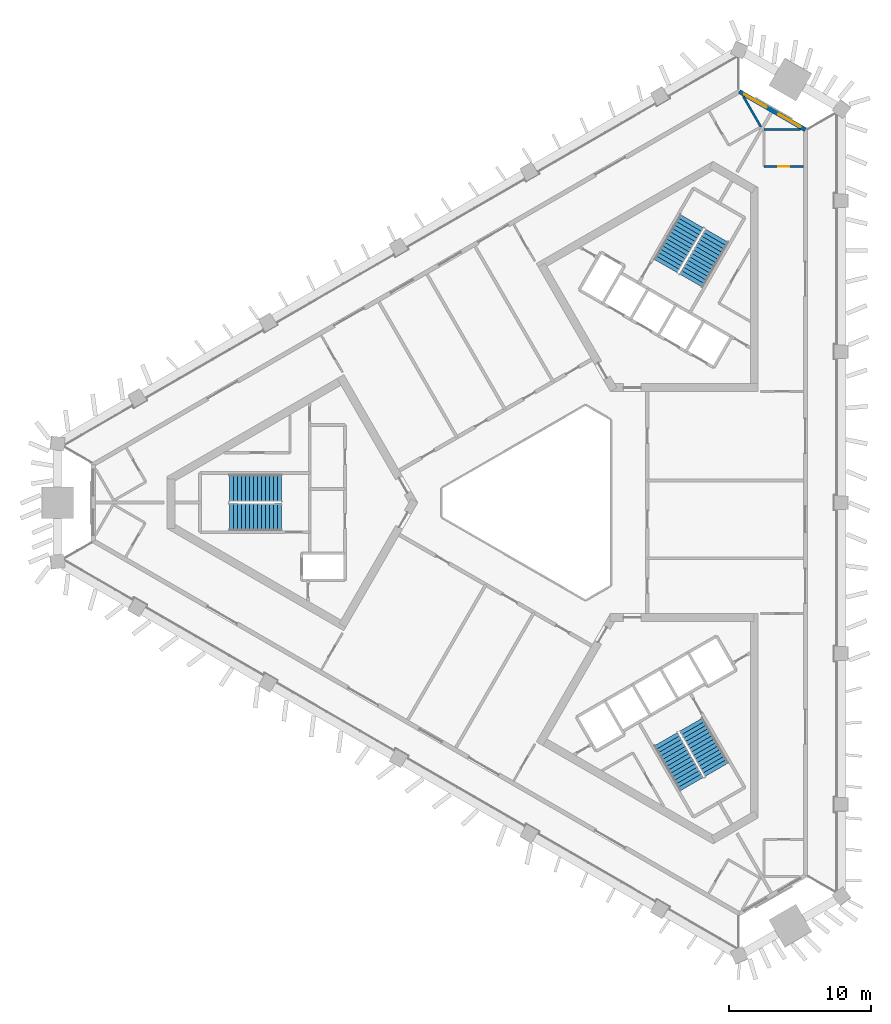
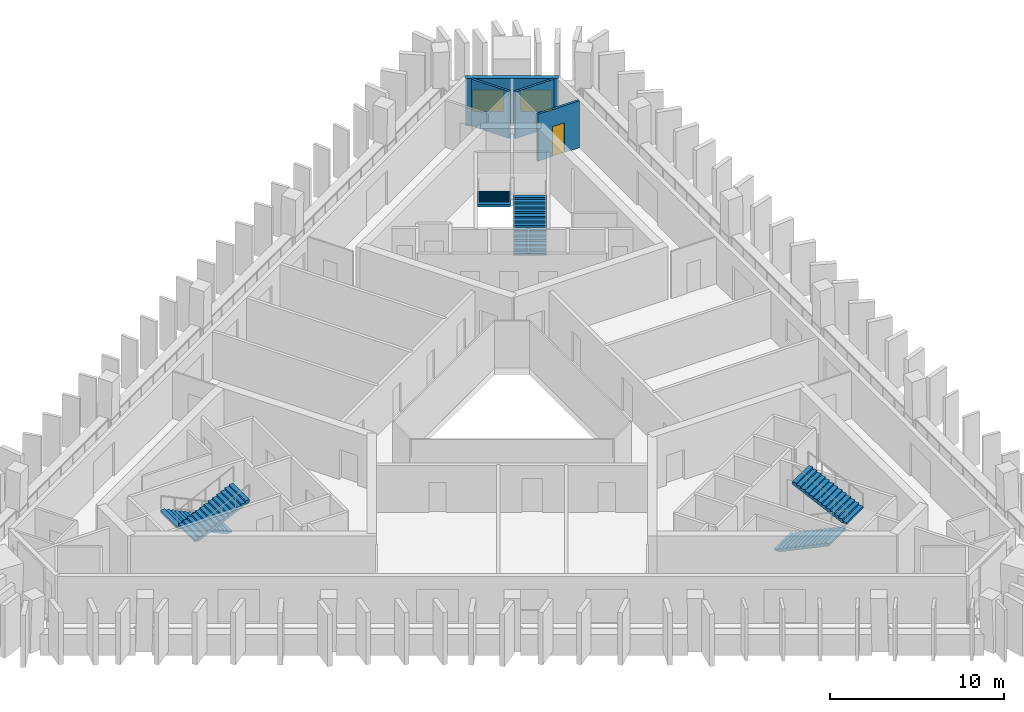
# One storey, part 6 of 9: 6 stair flights, 4 walls, 2 windows, 1 door, 3 openings, 3 elements without a shape of their own.
"""IFC4 building model written with IfcOpenShell, lengths in metres."""

from ifc_helpers import new_model, si_unit, direction, frame, frame_2d, origin, place, context, subcontext, project, spatial, polyline, rectangle, outline, extrude, material, layer, layer_set, type_object, element, fill, aggregate, save


model = new_model("IFC4")

# Units and contexts
model_context = context("Model", 3, precision=1e-05, world=origin(), true_north=direction((0.0, 1.0)))
body_context = subcontext(model_context, "Body", "Model", "MODEL_VIEW")
ifc_project = project(units=[si_unit("LENGTHUNIT", "METRE"), si_unit("AREAUNIT", "SQUARE_METRE"), si_unit("VOLUMEUNIT", "CUBIC_METRE"), si_unit("PLANEANGLEUNIT", "RADIAN"), si_unit("MASSUNIT", "GRAM", prefix="KILO")], contexts=[model_context])

# Site, building, storey
site_placement = place(None, origin())
site = spatial("IfcSite", under=ifc_project, at=site_placement, CompositionType="ELEMENT")
building_placement = place(site_placement, origin())
building = spatial("IfcBuilding", under=site, at=building_placement, Name="Jabali Bay Hotel Tower and Convention Centre", CompositionType="ELEMENT")
storey_placement = place(building_placement, frame((0.0, 0.0, 193.300048828125)))
storey = spatial("IfcBuildingStorey", under=building, at=storey_placement, Name="L47", CompositionType="ELEMENT", Elevation=193.300048828125)

# Wall, openings, windows
ifc_material_1 = material(Name="Concrete C40", Category="concrete")
ifc_layer_1 = layer(ifc_material_1, 0.300048828125)
ifc_layer_set_1 = layer_set([ifc_layer_1], Name="Concrete C40")
wall_type_1 = type_object("IfcWallType", Name="External wall 300", PredefinedType="SOLIDWALL", material=ifc_layer_set_1)
wall_1_placement = place(storey_placement, frame((88.565185546875, 108.85107421875, 0.0), z_axis=(0.0, 0.0, 1.0), x_axis=(0.866023885066, -0.500002630489, 0.0)))
wall_1 = element("IfcWall", 1, at=wall_1_placement, inside=storey, type_object=wall_type_1, Name="External wall north-east chamfer L47", PredefinedType="SOLIDWALL", context=body_context, shape_type="SweptSolid", body=[
    extrude(rectangle(XDim=5.35546875, YDim=0.300048828125, at=frame_2d((2.677734375, 0.0))), origin(), (0.0, 0.0, 1.0), 3.300048828125),
])
opening_1_placement = place(wall_1_placement, frame((3.172119140625, 0.0, 0.89990234375)))
opening_1 = element("IfcOpeningElement", 2, at=opening_1_placement, cuts=wall_1, Name="Opening W1", PredefinedType="OPENING", context=body_context, shape_type="SweptSolid", body=[
    extrude(rectangle(XDim=1.800048828125, YDim=1.5, at=frame_2d((0.89990234375, 0.75))), frame((0.0, 0.16064453125, 0.0), z_axis=(0.0, -1.0, 0.0), x_axis=(1.0, 0.0, 0.0)), (0.0, 0.0, 1.0), 0.321044921875),
])
opening_2_placement = place(wall_1_placement, frame((0.395263671875, 0.0, 0.89990234375)))
opening_2 = element("IfcOpeningElement", 3, at=opening_2_placement, cuts=wall_1, Name="Opening W1", PredefinedType="OPENING", context=body_context, shape_type="SweptSolid", body=[
    extrude(rectangle(XDim=1.800048828125, YDim=1.5, at=frame_2d((0.89990234375, 0.75))), frame((0.0, 0.16064453125, 0.0), z_axis=(0.0, -1.0, 0.0), x_axis=(1.0, 0.0, 0.0)), (0.0, 0.0, 1.0), 0.321044921875),
])
ifc_material_2 = material(Name="Glass", Category="glass")
window_type = type_object("IfcWindowType", Name="Window 1800 x 1500", PartitioningType="SINGLE_PANEL", PredefinedType="WINDOW", material=ifc_material_2)
window_1_placement = place(opening_1_placement, origin())
window_1 = element("IfcWindow", 4, at=window_1_placement, inside=storey, type_object=window_type, Name="Window 4702", OverallHeight=1.5, OverallWidth=1.800048828125, PartitioningType="SINGLE_PANEL", PredefinedType="WINDOW", context=body_context, shape_type="SweptSolid", body=[
    extrude(rectangle(XDim=1.800048828125, YDim=1.5, at=frame_2d((0.89990234375, 0.75))), frame((0.0, 0.030029296875, 0.0), z_axis=(0.0, -1.0, 0.0), x_axis=(1.0, 0.0, 0.0)), (0.0, 0.0, 1.0), 0.06005859375),
])
fill(opening_1, window_1)
window_2_placement = place(opening_2_placement, origin())
window_2 = element("IfcWindow", 5, at=window_2_placement, inside=storey, type_object=window_type, Name="Window 4703", OverallHeight=1.5, OverallWidth=1.800048828125, PartitioningType="SINGLE_PANEL", PredefinedType="WINDOW", context=body_context, shape_type="SweptSolid", body=[
    extrude(rectangle(XDim=1.800048828125, YDim=1.5, at=frame_2d((0.89990234375, 0.75))), frame((0.0, 0.030029296875, 0.0), z_axis=(0.0, -1.0, 0.0), x_axis=(1.0, 0.0, 0.0)), (0.0, 0.0, 1.0), 0.06005859375),
])
fill(opening_2, window_2)

# Wall, opening, door
ifc_material_3 = material(Name="Plasterboard on steel stud", Category="steel")
ifc_layer_2 = layer(ifc_material_3, 0.14990234375)
ifc_layer_set_2 = layer_set([ifc_layer_2], Name="Plasterboard on steel stud")
wall_type_2 = type_object("IfcWallType", Name="Partition 150 wet", PredefinedType="PARTITIONING", material=ifc_layer_set_2)
wall_2_placement = place(storey_placement, frame((93.05419921875, 103.59423828125, 0.0), z_axis=(0.0, 0.0, 1.0), x_axis=(-1.0, 0.0, 0.0)))
wall_2 = element("IfcWall", 6, at=wall_2_placement, inside=storey, type_object=wall_type_2, Name="Partition P03 L47 009", PredefinedType="PARTITIONING", context=body_context, shape_type="SweptSolid", body=[
    extrude(rectangle(XDim=2.752685546875, YDim=0.14990234375, at=frame_2d((1.37646484375, 0.0))), origin(), (0.0, 0.0, 1.0), 3.300048828125),
])
opening_3_placement = place(wall_2_placement, frame((0.97607421875, 0.0, 0.0)))
opening_3 = element("IfcOpeningElement", 7, at=opening_3_placement, cuts=wall_2, Name="Opening 4707", PredefinedType="OPENING", context=body_context, shape_type="SweptSolid", body=[
    extrude(rectangle(XDim=0.800048828125, YDim=2.10009765625, at=frame_2d((0.39990234375, 1.050048828125))), frame((0.0, 0.08544921875, 0.0), z_axis=(0.0, -1.0, 0.0), x_axis=(1.0, 0.0, 0.0)), (0.0, 0.0, 1.0), 0.1708984375),
])
ifc_material_4 = material(Name="Timber", Category="wood")
door_type = type_object("IfcDoorType", Name="En-suite door 800 x 2100", OperationType="NOTDEFINED", PredefinedType="NOTDEFINED", material=ifc_material_4)
door_placement = place(opening_3_placement, origin())
door = element("IfcDoor", 8, at=door_placement, inside=storey, type_object=door_type, Name="Door 4707", OperationType="SINGLE_SWING_RIGHT", OverallHeight=2.10009765625, OverallWidth=0.800048828125, PredefinedType="NOTDEFINED", context=body_context, shape_type="SweptSolid", body=[
    extrude(rectangle(XDim=0.800048828125, YDim=2.10009765625, at=frame_2d((0.39990234375, 1.050048828125))), frame((0.0, 0.02490234375, 0.0), z_axis=(0.0, -1.0, 0.0), x_axis=(1.0, 0.0, 0.0)), (0.0, 0.0, 1.0), 0.050048828125),
])
fill(opening_3, door)

# Walls
wall_3_placement = place(storey_placement, frame((90.301513671875, 106.1943359375, 0.0), z_axis=(0.0, 0.0, 1.0), x_axis=(1.0, 0.0, 0.0)))
element("IfcWall", 9, at=wall_3_placement, inside=storey, type_object=wall_type_2, Name="Partition P03 L47 011", PredefinedType="PARTITIONING", context=body_context, shape_type="SweptSolid", body=[
    extrude(rectangle(XDim=2.5673828125, YDim=0.14990234375, at=frame_2d((1.28369140625, 0.0))), origin(), (0.0, 0.0, 1.0), 3.300048828125),
])
wall_4_placement = place(storey_placement, frame((88.833251953125, 108.524169921875, 0.0), z_axis=(0.0, 0.0, 1.0), x_axis=(0.499986149909, -0.86603339999, 0.0)))
element("IfcWall", 10, at=wall_4_placement, inside=storey, type_object=wall_type_2, Name="Partition P03 L47 015", PredefinedType="PARTITIONING", context=body_context, shape_type="SweptSolid", body=[
    extrude(rectangle(XDim=2.484375, YDim=0.14990234375, at=frame_2d((1.2421875, 0.0))), origin(), (0.0, 0.0, 1.0), 3.300048828125),
])

# Stair, stair flights
stair_type = type_object("IfcStairType", Name="Exit stair 1900", PredefinedType="HALF_TURN_STAIR", material=ifc_material_1)
stair_1_placement = place(storey_placement, origin())
stair_1 = element("IfcStair", 11, at=stair_1_placement, inside=storey, type_object=stair_type, Name="L47 Exit Stair 1", PredefinedType="HALF_TURN_STAIR")
stair_flight_type = type_object("IfcStairFlightType", Name="Stair flight concrete 150", PredefinedType="STRAIGHT", material=ifc_material_1)
stair_flight_1_placement = place(storey_placement, frame((56.419921875, 81.02490234375, 0.0), z_axis=(0.0, 0.0, 1.0), x_axis=(-1.0, 0.0, 0.0)))
stair_flight_1 = element("IfcStairFlight", 12, at=stair_flight_1_placement, type_object=stair_flight_type, Name="ST1 flight 1", NumberOfRisers=14, NumberOfTreads=13, PredefinedType="STRAIGHT", RiserHeight=0.132142857, TreadLength=0.28, context=body_context, shape_type="SweptSolid", body=[
    extrude(outline(polyline([(0.0, 0.0), (0.0, 0.132080078125), (0.280029296875, 0.132080078125), (0.280029296875, 0.264404296875), (0.56005859375, 0.264404296875), (0.56005859375, 0.396484375), (0.840087890625, 0.396484375), (0.840087890625, 0.528564453125), (1.1201171875, 0.528564453125), (1.1201171875, 0.66064453125), (1.39990234375, 0.66064453125), (1.39990234375, 0.79296875), (1.679931640625, 0.79296875), (1.679931640625, 0.925048828125), (1.9599609375, 0.925048828125), (1.9599609375, 1.05712890625), (2.239990234375, 1.05712890625), (2.239990234375, 1.189208984375), (2.52001953125, 1.189208984375), (2.52001953125, 1.321533203125), (2.800048828125, 1.321533203125), (2.800048828125, 1.45361328125), (3.080078125, 1.45361328125), (3.080078125, 1.585693359375), (3.360107421875, 1.585693359375), (3.360107421875, 1.7177734375), (3.639892578125, 1.7177734375), (3.639892578125, 1.85009765625), (3.639892578125, 1.552001953125), (0.351318359375, 0.0), (0.0, 0.0)])), frame((0.0, 0.949951171875, 0.0), z_axis=(0.0, -1.0, 0.0), x_axis=(1.0, 0.0, 0.0)), (0.0, 0.0, 1.0), 1.89990234375),
])
stair_flight_2_placement = place(storey_placement, frame((52.780029296875, 78.97509765625, 1.849853515625), z_axis=(0.0, 0.0, 1.0), x_axis=(1.0, 0.0, 0.0)))
stair_flight_2 = element("IfcStairFlight", 13, at=stair_flight_2_placement, type_object=stair_flight_type, Name="ST1 flight 2", NumberOfRisers=14, NumberOfTreads=13, PredefinedType="STRAIGHT", RiserHeight=0.132142857, TreadLength=0.28, context=body_context, shape_type="SweptSolid", body=[
    extrude(outline(polyline([(0.0, 0.0), (0.0, 0.132080078125), (0.280029296875, 0.132080078125), (0.280029296875, 0.264404296875), (0.56005859375, 0.264404296875), (0.56005859375, 0.396484375), (0.840087890625, 0.396484375), (0.840087890625, 0.528564453125), (1.1201171875, 0.528564453125), (1.1201171875, 0.66064453125), (1.39990234375, 0.66064453125), (1.39990234375, 0.79296875), (1.679931640625, 0.79296875), (1.679931640625, 0.925048828125), (1.9599609375, 0.925048828125), (1.9599609375, 1.05712890625), (2.239990234375, 1.05712890625), (2.239990234375, 1.189208984375), (2.52001953125, 1.189208984375), (2.52001953125, 1.321533203125), (2.800048828125, 1.321533203125), (2.800048828125, 1.45361328125), (3.080078125, 1.45361328125), (3.080078125, 1.585693359375), (3.360107421875, 1.585693359375), (3.360107421875, 1.7177734375), (3.639892578125, 1.7177734375), (3.639892578125, 1.85009765625), (3.639892578125, 1.552001953125), (0.351318359375, 0.0), (0.0, 0.0)])), frame((0.0, 0.949951171875, 0.0), z_axis=(0.0, -1.0, 0.0), x_axis=(1.0, 0.0, 0.0)), (0.0, 0.0, 1.0), 1.89990234375),
])
aggregate(stair_1, [stair_flight_1, stair_flight_2])

stair_2_placement = place(storey_placement, origin())
stair_2 = element("IfcStair", 14, at=stair_2_placement, inside=storey, type_object=stair_type, Name="L47 Exit Stair 2", PredefinedType="HALF_TURN_STAIR")
stair_flight_3_placement = place(storey_placement, frame((85.177734375, 95.578369140625, 0.0), z_axis=(0.0, 0.0, 1.0), x_axis=(0.5, 0.866025403784, 0.0)))
stair_flight_3 = element("IfcStairFlight", 15, at=stair_flight_3_placement, type_object=stair_flight_type, Name="ST2 flight 1", NumberOfRisers=14, NumberOfTreads=13, PredefinedType="STRAIGHT", RiserHeight=0.132142857, TreadLength=0.28, context=body_context, shape_type="SweptSolid", body=[
    extrude(outline(polyline([(0.0, 0.0), (0.0, 0.132080078125), (0.280029296875, 0.132080078125), (0.280029296875, 0.264404296875), (0.56005859375, 0.264404296875), (0.56005859375, 0.396484375), (0.840087890625, 0.396484375), (0.840087890625, 0.528564453125), (1.1201171875, 0.528564453125), (1.1201171875, 0.66064453125), (1.39990234375, 0.66064453125), (1.39990234375, 0.79296875), (1.679931640625, 0.79296875), (1.679931640625, 0.925048828125), (1.9599609375, 0.925048828125), (1.9599609375, 1.05712890625), (2.239990234375, 1.05712890625), (2.239990234375, 1.189208984375), (2.52001953125, 1.189208984375), (2.52001953125, 1.321533203125), (2.800048828125, 1.321533203125), (2.800048828125, 1.45361328125), (3.080078125, 1.45361328125), (3.080078125, 1.585693359375), (3.360107421875, 1.585693359375), (3.360107421875, 1.7177734375), (3.639892578125, 1.7177734375), (3.639892578125, 1.85009765625), (3.639892578125, 1.552001953125), (0.351318359375, 0.0), (0.0, 0.0)])), frame((0.0, 0.949951171875, 0.0), z_axis=(0.0, -1.0, 0.0), x_axis=(1.0, 0.0, 0.0)), (0.0, 0.0, 1.0), 1.89990234375),
])
stair_flight_4_placement = place(storey_placement, frame((85.222412109375, 99.755615234375, 1.849853515625), z_axis=(0.0, 0.0, 1.0), x_axis=(-0.5, -0.866025403784, 0.0)))
stair_flight_4 = element("IfcStairFlight", 16, at=stair_flight_4_placement, type_object=stair_flight_type, Name="ST2 flight 2", NumberOfRisers=14, NumberOfTreads=13, PredefinedType="STRAIGHT", RiserHeight=0.132142857, TreadLength=0.28, context=body_context, shape_type="SweptSolid", body=[
    extrude(outline(polyline([(0.0, 0.0), (0.0, 0.132080078125), (0.280029296875, 0.132080078125), (0.280029296875, 0.264404296875), (0.56005859375, 0.264404296875), (0.56005859375, 0.396484375), (0.840087890625, 0.396484375), (0.840087890625, 0.528564453125), (1.1201171875, 0.528564453125), (1.1201171875, 0.66064453125), (1.39990234375, 0.66064453125), (1.39990234375, 0.79296875), (1.679931640625, 0.79296875), (1.679931640625, 0.925048828125), (1.9599609375, 0.925048828125), (1.9599609375, 1.05712890625), (2.239990234375, 1.05712890625), (2.239990234375, 1.189208984375), (2.52001953125, 1.189208984375), (2.52001953125, 1.321533203125), (2.800048828125, 1.321533203125), (2.800048828125, 1.45361328125), (3.080078125, 1.45361328125), (3.080078125, 1.585693359375), (3.360107421875, 1.585693359375), (3.360107421875, 1.7177734375), (3.639892578125, 1.7177734375), (3.639892578125, 1.85009765625), (3.639892578125, 1.552001953125), (0.351318359375, 0.0), (0.0, 0.0)])), frame((0.0, 0.949951171875, 0.0), z_axis=(0.0, -1.0, 0.0), x_axis=(1.0, 0.0, 0.0)), (0.0, 0.0, 1.0), 1.89990234375),
])
aggregate(stair_2, [stair_flight_3, stair_flight_4])

stair_3_placement = place(storey_placement, origin())
stair_3 = element("IfcStair", 17, at=stair_3_placement, inside=storey, type_object=stair_type, Name="L47 Exit Stair 3", PredefinedType="HALF_TURN_STAIR")
stair_flight_5_placement = place(storey_placement, frame((83.40234375, 63.396728515625, 0.0), z_axis=(0.0, 0.0, 1.0), x_axis=(0.5, -0.866025403784, 0.0)))
stair_flight_5 = element("IfcStairFlight", 18, at=stair_flight_5_placement, type_object=stair_flight_type, Name="ST3 flight 1", NumberOfRisers=14, NumberOfTreads=13, PredefinedType="STRAIGHT", RiserHeight=0.132142857, TreadLength=0.28, context=body_context, shape_type="SweptSolid", body=[
    extrude(outline(polyline([(0.0, 0.0), (0.0, 0.132080078125), (0.280029296875, 0.132080078125), (0.280029296875, 0.264404296875), (0.56005859375, 0.264404296875), (0.56005859375, 0.396484375), (0.840087890625, 0.396484375), (0.840087890625, 0.528564453125), (1.1201171875, 0.528564453125), (1.1201171875, 0.66064453125), (1.39990234375, 0.66064453125), (1.39990234375, 0.79296875), (1.679931640625, 0.79296875), (1.679931640625, 0.925048828125), (1.9599609375, 0.925048828125), (1.9599609375, 1.05712890625), (2.239990234375, 1.05712890625), (2.239990234375, 1.189208984375), (2.52001953125, 1.189208984375), (2.52001953125, 1.321533203125), (2.800048828125, 1.321533203125), (2.800048828125, 1.45361328125), (3.080078125, 1.45361328125), (3.080078125, 1.585693359375), (3.360107421875, 1.585693359375), (3.360107421875, 1.7177734375), (3.639892578125, 1.7177734375), (3.639892578125, 1.85009765625), (3.639892578125, 1.552001953125), (0.351318359375, 0.0), (0.0, 0.0)])), frame((0.0, 0.949951171875, 0.0), z_axis=(0.0, -1.0, 0.0), x_axis=(1.0, 0.0, 0.0)), (0.0, 0.0, 1.0), 1.89990234375),
])
stair_flight_6_placement = place(storey_placement, frame((86.99755859375, 61.26953125, 1.849853515625), z_axis=(0.0, 0.0, 1.0), x_axis=(-0.5, 0.866025403784, 0.0)))
stair_flight_6 = element("IfcStairFlight", 19, at=stair_flight_6_placement, type_object=stair_flight_type, Name="ST3 flight 2", NumberOfRisers=14, NumberOfTreads=13, PredefinedType="STRAIGHT", RiserHeight=0.132142857, TreadLength=0.28, context=body_context, shape_type="SweptSolid", body=[
    extrude(outline(polyline([(0.0, 0.0), (0.0, 0.132080078125), (0.280029296875, 0.132080078125), (0.280029296875, 0.264404296875), (0.56005859375, 0.264404296875), (0.56005859375, 0.396484375), (0.840087890625, 0.396484375), (0.840087890625, 0.528564453125), (1.1201171875, 0.528564453125), (1.1201171875, 0.66064453125), (1.39990234375, 0.66064453125), (1.39990234375, 0.79296875), (1.679931640625, 0.79296875), (1.679931640625, 0.925048828125), (1.9599609375, 0.925048828125), (1.9599609375, 1.05712890625), (2.239990234375, 1.05712890625), (2.239990234375, 1.189208984375), (2.52001953125, 1.189208984375), (2.52001953125, 1.321533203125), (2.800048828125, 1.321533203125), (2.800048828125, 1.45361328125), (3.080078125, 1.45361328125), (3.080078125, 1.585693359375), (3.360107421875, 1.585693359375), (3.360107421875, 1.7177734375), (3.639892578125, 1.7177734375), (3.639892578125, 1.85009765625), (3.639892578125, 1.552001953125), (0.351318359375, 0.0), (0.0, 0.0)])), frame((0.0, 0.949951171875, 0.0), z_axis=(0.0, -1.0, 0.0), x_axis=(1.0, 0.0, 0.0)), (0.0, 0.0, 1.0), 1.89990234375),
])
aggregate(stair_3, [stair_flight_5, stair_flight_6])

save(model, "model.ifc")
